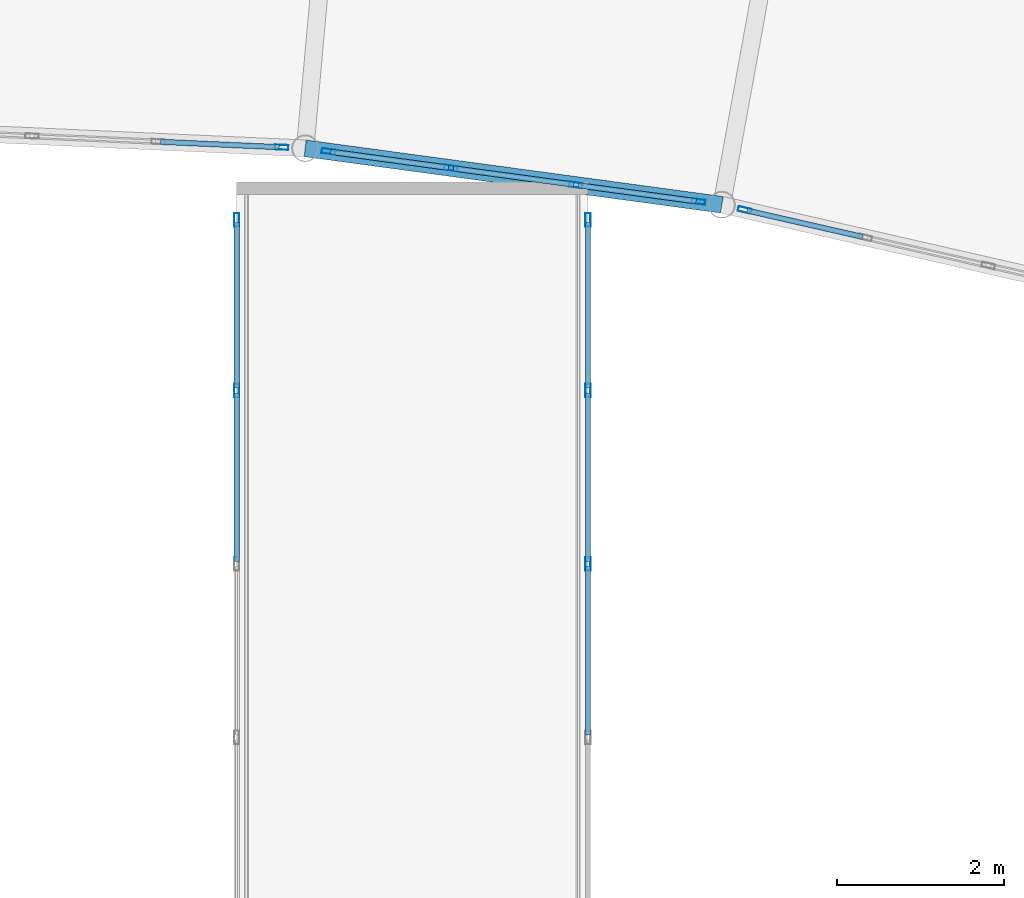
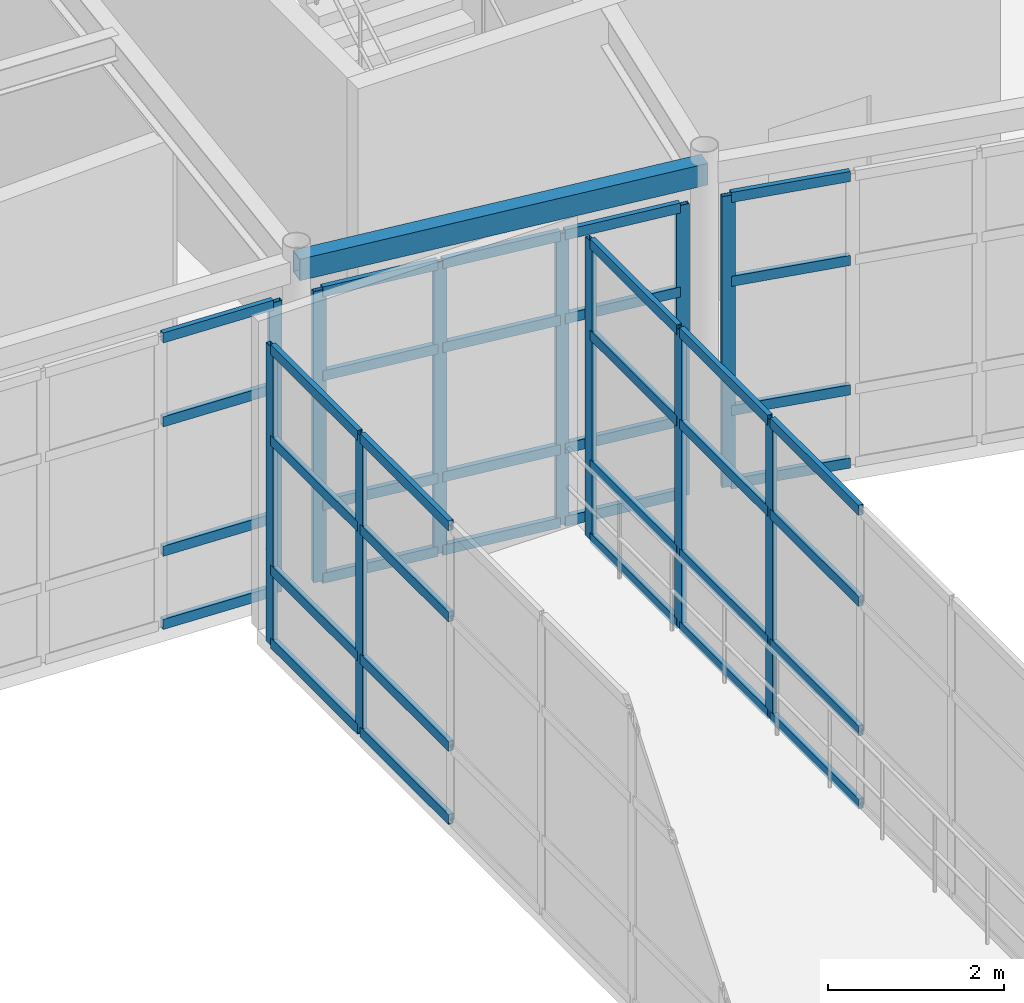
# One storey, part 66 of 105: 51 members, 1 beam, 5 elements without a shape of their own.
"""IFC4 building model written with IfcOpenShell, lengths in metres."""

from ifc_helpers import new_model, si_unit, direction, frame, origin, origin_2d, place, context, subcontext, project, spatial, hollow_rectangle, extrude, material, layer, layer_set, material_profile, profile_set, type_object, element, aggregate, save


model = new_model("IFC4")

# Units and contexts
model_context = context("Model", 3, precision=1e-05, world=origin(), true_north=direction((0.0, 1.0)))
body_context = subcontext(model_context, "Body", "Model", "MODEL_VIEW")
ifc_project = project(units=[si_unit("LENGTHUNIT", "METRE"), si_unit("AREAUNIT", "SQUARE_METRE"), si_unit("VOLUMEUNIT", "CUBIC_METRE"), si_unit("PLANEANGLEUNIT", "RADIAN"), si_unit("MASSUNIT", "GRAM", prefix="KILO")], contexts=[model_context])

# Site, building, storey
site_placement = place(None, origin())
site = spatial("IfcSite", under=ifc_project, at=site_placement, CompositionType="ELEMENT")
building_placement = place(site_placement, origin())
building = spatial("IfcBuilding", under=site, at=building_placement, Name="Selat Folded Stagehouse", CompositionType="ELEMENT")
storey_placement = place(building_placement, frame((0.0, 0.0, 10.199951171875)))
storey = spatial("IfcBuildingStorey", under=building, at=storey_placement, Name="L02", CompositionType="ELEMENT", Elevation=10.199951171875)

# Curtain wall, member
ifc_material_1 = material(Name="Aluminium 6063-T6", Category="aluminium")
ifc_layer_1 = layer(ifc_material_1, 0.18994140625)
ifc_layer_set_1 = layer_set([ifc_layer_1], Name="Aluminium 6063-T6")
curtain_wall_type_1 = type_object("IfcCurtainWallType", Name="CW-REH-ARC", PredefinedType="NOTDEFINED", material=ifc_layer_set_1)
curtain_wall_1_placement = place(storey_placement, origin())
curtain_wall_1 = element("IfcCurtainWall", 1, at=curtain_wall_1_placement, inside=storey, type_object=curtain_wall_type_1, Name="L02 curtain wall CW-REH-L02-07", PredefinedType="NOTDEFINED")
ifc_material_profile_1 = material_profile(ifc_material_1, hollow_rectangle(XDim=0.06005859375, YDim=0.159912109375, WallThickness=0.00390625, at=origin_2d()), Name="ALU 160x60x4.0")
ifc_profile_set_1 = profile_set([ifc_material_profile_1], Name="Aluminium 6063-T6")
member_type_1 = type_object("IfcMemberType", Name="CWM-MUL-160x60", PredefinedType="MULLION", material=ifc_profile_set_1)
member_1_placement = place(storey_placement, frame((97.14013671875, 93.787109375, 0.0), z_axis=(0.0, 0.0, 1.0), x_axis=(-0.044862316478, -0.998993179436, 0.0)))
member_1 = element("IfcMember", 2, at=member_1_placement, type_object=member_type_1, Name="CW-06 mullion 1", PredefinedType="MULLION", context=body_context, shape_type="SweptSolid", body=[
    extrude(hollow_rectangle(XDim=0.06005859375, YDim=0.159912109375, WallThickness=0.00390625, at=origin_2d()), origin(), (0.0, 0.0, 1.0), 4.050048828125),
])

# Curtain wall, members
curtain_wall_2_placement = place(storey_placement, origin())
curtain_wall_2 = element("IfcCurtainWall", 3, at=curtain_wall_2_placement, inside=storey, type_object=curtain_wall_type_1, Name="L02 curtain wall CW-REH-L02-08", PredefinedType="NOTDEFINED")
member_2_placement = place(storey_placement, frame((102.121826171875, 93.1376953125, 0.0), z_axis=(0.0, 0.0, 1.0), x_axis=(-0.134211766018, -0.990952673876, 0.0)))
member_2 = element("IfcMember", 4, at=member_2_placement, type_object=member_type_1, Name="CW-06 mullion 1", PredefinedType="MULLION", context=body_context, shape_type="SweptSolid", body=[
    extrude(hollow_rectangle(XDim=0.06005859375, YDim=0.159912109375, WallThickness=0.00390625, at=origin_2d()), origin(), (0.0, 0.0, 1.0), 4.050048828125),
])
member_3_placement = place(storey_placement, frame((100.65673828125, 93.336181640625, 0.0), z_axis=(0.0, 0.0, 1.0), x_axis=(-0.134211766018, -0.990952673876, 0.0)))
member_3 = element("IfcMember", 5, at=member_3_placement, type_object=member_type_1, Name="CW-06 mullion 2", PredefinedType="MULLION", context=body_context, shape_type="SweptSolid", body=[
    extrude(hollow_rectangle(XDim=0.06005859375, YDim=0.159912109375, WallThickness=0.00390625, at=origin_2d()), origin(), (0.0, 0.0, 1.0), 4.050048828125),
])
member_4_placement = place(storey_placement, frame((99.162109375, 93.53857421875, 0.0), z_axis=(0.0, 0.0, 1.0), x_axis=(-0.134211766018, -0.990952673876, 0.0)))
member_4 = element("IfcMember", 6, at=member_4_placement, type_object=member_type_1, Name="CW-06 mullion 3", PredefinedType="MULLION", context=body_context, shape_type="SweptSolid", body=[
    extrude(hollow_rectangle(XDim=0.06005859375, YDim=0.159912109375, WallThickness=0.00390625, at=origin_2d()), origin(), (0.0, 0.0, 1.0), 4.050048828125),
])
member_5_placement = place(storey_placement, frame((97.697265625, 93.737060546875, 0.0), z_axis=(0.0, 0.0, 1.0), x_axis=(-0.134211766018, -0.990952673876, 0.0)))
member_5 = element("IfcMember", 7, at=member_5_placement, type_object=member_type_1, Name="CW-06 mullion 4", PredefinedType="MULLION", context=body_context, shape_type="SweptSolid", body=[
    extrude(hollow_rectangle(XDim=0.06005859375, YDim=0.159912109375, WallThickness=0.00390625, at=origin_2d()), origin(), (0.0, 0.0, 1.0), 4.050048828125),
])

# Curtain wall, member
curtain_wall_3_placement = place(storey_placement, origin())
curtain_wall_3 = element("IfcCurtainWall", 8, at=curtain_wall_3_placement, inside=storey, type_object=curtain_wall_type_1, Name="L02 curtain wall CW-REH-L02-09", PredefinedType="NOTDEFINED")
member_6_placement = place(storey_placement, frame((102.672119140625, 93.037841796875, 0.0), z_axis=(0.0, 0.0, 1.0), x_axis=(-0.222542761079, -0.974922930026, 0.0)))
member_6 = element("IfcMember", 9, at=member_6_placement, type_object=member_type_1, Name="CW-06 mullion 4", PredefinedType="MULLION", context=body_context, shape_type="SweptSolid", body=[
    extrude(hollow_rectangle(XDim=0.06005859375, YDim=0.159912109375, WallThickness=0.00390625, at=origin_2d()), origin(), (0.0, 0.0, 1.0), 4.050048828125),
])

# Curtain wall, members
ifc_layer_2 = layer(ifc_material_1, 0.175048828125)
ifc_layer_set_2 = layer_set([ifc_layer_2], Name="Aluminium 6063-T6")
curtain_wall_type_2 = type_object("IfcCurtainWallType", Name="CW-BRG-GLAZ", PredefinedType="NOTDEFINED", material=ifc_layer_set_2)
curtain_wall_4_placement = place(storey_placement, origin())
curtain_wall_4 = element("IfcCurtainWall", 10, at=curtain_wall_4_placement, inside=storey, type_object=curtain_wall_type_2, Name="L02 curtain wall CW-BRG-15", PredefinedType="NOTDEFINED")
member_7_placement = place(storey_placement, frame((96.60009765625, 90.878662109375, 0.0), z_axis=(0.0, 0.0, 1.0), x_axis=(-1.0, 0.0, 0.0)))
member_7 = element("IfcMember", 11, at=member_7_placement, type_object=member_type_1, Name="CW-07 mullion 7", PredefinedType="MULLION", context=body_context, shape_type="SweptSolid", body=[
    extrude(hollow_rectangle(XDim=0.06005859375, YDim=0.159912109375, WallThickness=0.00390625, at=origin_2d()), origin(), (0.0, 0.0, 1.0), 4.150146484375),
])
member_8_placement = place(storey_placement, frame((96.60009765625, 92.919921875, 0.0), z_axis=(0.0, 0.0, 1.0), x_axis=(-1.0, 0.0, 0.0)))
member_8 = element("IfcMember", 12, at=member_8_placement, type_object=member_type_1, Name="CW-07 mullion 8", PredefinedType="MULLION", context=body_context, shape_type="SweptSolid", body=[
    extrude(hollow_rectangle(XDim=0.06005859375, YDim=0.159912109375, WallThickness=0.00390625, at=origin_2d()), origin(), (0.0, 0.0, 1.0), 4.150146484375),
])

curtain_wall_5_placement = place(storey_placement, origin())
curtain_wall_5 = element("IfcCurtainWall", 13, at=curtain_wall_5_placement, inside=storey, type_object=curtain_wall_type_2, Name="L02 curtain wall CW-BRG-20", PredefinedType="NOTDEFINED")
member_9_placement = place(storey_placement, frame((100.800048828125, 92.919921875, 0.0), z_axis=(0.0, 0.0, 1.0), x_axis=(1.0, 0.0, 0.0)))
member_9 = element("IfcMember", 14, at=member_9_placement, type_object=member_type_1, Name="CW-07 mullion 1", PredefinedType="MULLION", context=body_context, shape_type="SweptSolid", body=[
    extrude(hollow_rectangle(XDim=0.06005859375, YDim=0.159912109375, WallThickness=0.00390625, at=origin_2d()), origin(), (0.0, 0.0, 1.0), 4.150146484375),
])
member_10_placement = place(storey_placement, frame((100.800048828125, 90.878662109375, 0.0), z_axis=(0.0, 0.0, 1.0), x_axis=(1.0, 0.0, 0.0)))
member_10 = element("IfcMember", 15, at=member_10_placement, type_object=member_type_1, Name="CW-07 mullion 2", PredefinedType="MULLION", context=body_context, shape_type="SweptSolid", body=[
    extrude(hollow_rectangle(XDim=0.06005859375, YDim=0.159912109375, WallThickness=0.00390625, at=origin_2d()), origin(), (0.0, 0.0, 1.0), 4.150146484375),
])
member_11_placement = place(storey_placement, frame((100.800048828125, 88.80712890625, 0.0), z_axis=(0.0, 0.0, 1.0), x_axis=(1.0, 0.0, 0.0)))
member_11 = element("IfcMember", 16, at=member_11_placement, type_object=member_type_1, Name="CW-07 mullion 3", PredefinedType="MULLION", context=body_context, shape_type="SweptSolid", body=[
    extrude(hollow_rectangle(XDim=0.06005859375, YDim=0.159912109375, WallThickness=0.00390625, at=origin_2d()), origin(), (0.0, 0.0, 1.0), 4.150146484375),
])

# Member
ifc_material_profile_2 = material_profile(ifc_material_1, hollow_rectangle(XDim=0.06494140625, YDim=0.139892578125, WallThickness=0.00390625, at=origin_2d()), Name="ALU 140x65x4.0")
ifc_profile_set_2 = profile_set([ifc_material_profile_2], Name="Aluminium 6063-T6")
member_type_2 = type_object("IfcMemberType", Name="CWM-TRN-140x65", PredefinedType="USERDEFINED", material=ifc_profile_set_2)
member_12_placement = place(storey_placement, frame((97.110107421875, 93.78857421875, 0.032470703125), z_axis=(-0.998997791005, 0.044759508127, 0.0), x_axis=(-0.044759508127, -0.998997791005, 0.0)))
member_12 = element("IfcMember", 17, at=member_12_placement, type_object=member_type_2, Name="CW-06 transom 1.1", ObjectType="TRANSOM", PredefinedType="USERDEFINED", context=body_context, shape_type="SweptSolid", body=[
    extrude(hollow_rectangle(XDim=0.06494140625, YDim=0.139892578125, WallThickness=0.00390625, at=origin_2d()), origin(), (0.0, 0.0, 1.0), 1.418212890625),
])

member_13_placement = place(storey_placement, frame((97.110107421875, 93.78857421875, 1.050048828125), z_axis=(-0.998997791005, 0.044759508127, 0.0), x_axis=(-0.044759508127, -0.998997791005, 0.0)))
member_13 = element("IfcMember", 18, at=member_13_placement, type_object=member_type_2, Name="CW-06 transom 1.2", ObjectType="TRANSOM", PredefinedType="USERDEFINED", context=body_context, shape_type="SweptSolid", body=[
    extrude(hollow_rectangle(XDim=0.06494140625, YDim=0.139892578125, WallThickness=0.00390625, at=origin_2d()), origin(), (0.0, 0.0, 1.0), 1.418212890625),
])

member_14_placement = place(storey_placement, frame((97.110107421875, 93.78857421875, 2.85009765625), z_axis=(-0.998997791005, 0.044759508127, 0.0), x_axis=(-0.044759508127, -0.998997791005, 0.0)))
member_14 = element("IfcMember", 19, at=member_14_placement, type_object=member_type_2, Name="CW-06 transom 1.3", ObjectType="TRANSOM", PredefinedType="USERDEFINED", context=body_context, shape_type="SweptSolid", body=[
    extrude(hollow_rectangle(XDim=0.06494140625, YDim=0.139892578125, WallThickness=0.00390625, at=origin_2d()), origin(), (0.0, 0.0, 1.0), 1.418212890625),
])

member_15_placement = place(storey_placement, frame((97.110107421875, 93.78857421875, 4.017578125), z_axis=(-0.998997791005, 0.044759508127, 0.0), x_axis=(-0.044759508127, -0.998997791005, 0.0)))
member_15 = element("IfcMember", 20, at=member_15_placement, type_object=member_type_2, Name="CW-06 transom 1.4", ObjectType="TRANSOM", PredefinedType="USERDEFINED", context=body_context, shape_type="SweptSolid", body=[
    extrude(hollow_rectangle(XDim=0.06494140625, YDim=0.139892578125, WallThickness=0.00390625, at=origin_2d()), origin(), (0.0, 0.0, 1.0), 1.418212890625),
])

aggregate(curtain_wall_1, [member_1, member_12, member_13, member_14, member_15])

member_16_placement = place(storey_placement, frame((102.092041015625, 93.141845703125, 0.032470703125), z_axis=(-0.990968953763, 0.134091508595, 0.0), x_axis=(-0.134091508595, -0.990968953763, 0.0)))
member_16 = element("IfcMember", 21, at=member_16_placement, type_object=member_type_2, Name="CW-06 transom 1.1", ObjectType="TRANSOM", PredefinedType="USERDEFINED", context=body_context, shape_type="SweptSolid", body=[
    extrude(hollow_rectangle(XDim=0.06494140625, YDim=0.139892578125, WallThickness=0.00390625, at=origin_2d()), origin(), (0.0, 0.0, 1.0), 1.418212890625),
])

member_17_placement = place(storey_placement, frame((102.092041015625, 93.141845703125, 1.050048828125), z_axis=(-0.990968953763, 0.134091508595, 0.0), x_axis=(-0.134091508595, -0.990968953763, 0.0)))
member_17 = element("IfcMember", 22, at=member_17_placement, type_object=member_type_2, Name="CW-06 transom 1.2", ObjectType="TRANSOM", PredefinedType="USERDEFINED", context=body_context, shape_type="SweptSolid", body=[
    extrude(hollow_rectangle(XDim=0.06494140625, YDim=0.139892578125, WallThickness=0.00390625, at=origin_2d()), origin(), (0.0, 0.0, 1.0), 1.418212890625),
])

member_18_placement = place(storey_placement, frame((102.092041015625, 93.141845703125, 2.85009765625), z_axis=(-0.990968953763, 0.134091508595, 0.0), x_axis=(-0.134091508595, -0.990968953763, 0.0)))
member_18 = element("IfcMember", 23, at=member_18_placement, type_object=member_type_2, Name="CW-06 transom 1.3", ObjectType="TRANSOM", PredefinedType="USERDEFINED", context=body_context, shape_type="SweptSolid", body=[
    extrude(hollow_rectangle(XDim=0.06494140625, YDim=0.139892578125, WallThickness=0.00390625, at=origin_2d()), origin(), (0.0, 0.0, 1.0), 1.418212890625),
])

member_19_placement = place(storey_placement, frame((102.092041015625, 93.141845703125, 4.017578125), z_axis=(-0.990968953763, 0.134091508595, 0.0), x_axis=(-0.134091508595, -0.990968953763, 0.0)))
member_19 = element("IfcMember", 24, at=member_19_placement, type_object=member_type_2, Name="CW-06 transom 1.4", ObjectType="TRANSOM", PredefinedType="USERDEFINED", context=body_context, shape_type="SweptSolid", body=[
    extrude(hollow_rectangle(XDim=0.06494140625, YDim=0.139892578125, WallThickness=0.00390625, at=origin_2d()), origin(), (0.0, 0.0, 1.0), 1.418212890625),
])

member_20_placement = place(storey_placement, frame((100.627197265625, 93.340087890625, 0.032470703125), z_axis=(-0.990957936125, 0.134172906473, 0.0), x_axis=(-0.134172906473, -0.990957936125, 0.0)))
member_20 = element("IfcMember", 25, at=member_20_placement, type_object=member_type_2, Name="CW-06 transom 2.1", ObjectType="TRANSOM", PredefinedType="USERDEFINED", context=body_context, shape_type="SweptSolid", body=[
    extrude(hollow_rectangle(XDim=0.06494140625, YDim=0.139892578125, WallThickness=0.00390625, at=origin_2d()), origin(), (0.0, 0.0, 1.0), 1.448486328125),
])

member_21_placement = place(storey_placement, frame((100.627197265625, 93.340087890625, 1.050048828125), z_axis=(-0.990957936125, 0.134172906473, 0.0), x_axis=(-0.134172906473, -0.990957936125, 0.0)))
member_21 = element("IfcMember", 26, at=member_21_placement, type_object=member_type_2, Name="CW-06 transom 2.2", ObjectType="TRANSOM", PredefinedType="USERDEFINED", context=body_context, shape_type="SweptSolid", body=[
    extrude(hollow_rectangle(XDim=0.06494140625, YDim=0.139892578125, WallThickness=0.00390625, at=origin_2d()), origin(), (0.0, 0.0, 1.0), 1.448486328125),
])

member_22_placement = place(storey_placement, frame((100.627197265625, 93.340087890625, 2.85009765625), z_axis=(-0.990957936125, 0.134172906473, 0.0), x_axis=(-0.134172906473, -0.990957936125, 0.0)))
member_22 = element("IfcMember", 27, at=member_22_placement, type_object=member_type_2, Name="CW-06 transom 2.3", ObjectType="TRANSOM", PredefinedType="USERDEFINED", context=body_context, shape_type="SweptSolid", body=[
    extrude(hollow_rectangle(XDim=0.06494140625, YDim=0.139892578125, WallThickness=0.00390625, at=origin_2d()), origin(), (0.0, 0.0, 1.0), 1.448486328125),
])

member_23_placement = place(storey_placement, frame((100.627197265625, 93.340087890625, 4.017578125), z_axis=(-0.990957936125, 0.134172906473, 0.0), x_axis=(-0.134172906473, -0.990957936125, 0.0)))
member_23 = element("IfcMember", 28, at=member_23_placement, type_object=member_type_2, Name="CW-06 transom 2.4", ObjectType="TRANSOM", PredefinedType="USERDEFINED", context=body_context, shape_type="SweptSolid", body=[
    extrude(hollow_rectangle(XDim=0.06494140625, YDim=0.139892578125, WallThickness=0.00390625, at=origin_2d()), origin(), (0.0, 0.0, 1.0), 1.448486328125),
])

member_24_placement = place(storey_placement, frame((99.13232421875, 93.54248046875, 0.032470703125), z_axis=(-0.990942963198, 0.134283445326, 0.0), x_axis=(-0.134283445326, -0.990942963198, 0.0)))
member_24 = element("IfcMember", 29, at=member_24_placement, type_object=member_type_2, Name="CW-06 transom 3.1", ObjectType="TRANSOM", PredefinedType="USERDEFINED", context=body_context, shape_type="SweptSolid", body=[
    extrude(hollow_rectangle(XDim=0.06494140625, YDim=0.139892578125, WallThickness=0.00390625, at=origin_2d()), origin(), (0.0, 0.0, 1.0), 1.418212890625),
])

member_25_placement = place(storey_placement, frame((99.13232421875, 93.54248046875, 1.050048828125), z_axis=(-0.990942963198, 0.134283445326, 0.0), x_axis=(-0.134283445326, -0.990942963198, 0.0)))
member_25 = element("IfcMember", 30, at=member_25_placement, type_object=member_type_2, Name="CW-06 transom 3.2", ObjectType="TRANSOM", PredefinedType="USERDEFINED", context=body_context, shape_type="SweptSolid", body=[
    extrude(hollow_rectangle(XDim=0.06494140625, YDim=0.139892578125, WallThickness=0.00390625, at=origin_2d()), origin(), (0.0, 0.0, 1.0), 1.418212890625),
])

member_26_placement = place(storey_placement, frame((99.13232421875, 93.54248046875, 2.85009765625), z_axis=(-0.990942963198, 0.134283445326, 0.0), x_axis=(-0.134283445326, -0.990942963198, 0.0)))
member_26 = element("IfcMember", 31, at=member_26_placement, type_object=member_type_2, Name="CW-06 transom 3.3", ObjectType="TRANSOM", PredefinedType="USERDEFINED", context=body_context, shape_type="SweptSolid", body=[
    extrude(hollow_rectangle(XDim=0.06494140625, YDim=0.139892578125, WallThickness=0.00390625, at=origin_2d()), origin(), (0.0, 0.0, 1.0), 1.418212890625),
])

member_27_placement = place(storey_placement, frame((99.13232421875, 93.54248046875, 4.017578125), z_axis=(-0.990942963198, 0.134283445326, 0.0), x_axis=(-0.134283445326, -0.990942963198, 0.0)))
member_27 = element("IfcMember", 32, at=member_27_placement, type_object=member_type_2, Name="CW-06 transom 3.4", ObjectType="TRANSOM", PredefinedType="USERDEFINED", context=body_context, shape_type="SweptSolid", body=[
    extrude(hollow_rectangle(XDim=0.06494140625, YDim=0.139892578125, WallThickness=0.00390625, at=origin_2d()), origin(), (0.0, 0.0, 1.0), 1.418212890625),
])

aggregate(curtain_wall_2, [member_2, member_3, member_4, member_5, member_16, member_17, member_18, member_19, member_20, member_21, member_22, member_23, member_24, member_25, member_26, member_27])

member_28_placement = place(storey_placement, frame((104.084228515625, 92.715576171875, 0.032470703125), z_axis=(-0.974919361771, 0.222558392438, 0.0), x_axis=(-0.222558392438, -0.974919361771, 0.0)))
member_28 = element("IfcMember", 33, at=member_28_placement, type_object=member_type_2, Name="CW-06 transom 3.1", ObjectType="TRANSOM", PredefinedType="USERDEFINED", context=body_context, shape_type="SweptSolid", body=[
    extrude(hollow_rectangle(XDim=0.06494140625, YDim=0.139892578125, WallThickness=0.00390625, at=origin_2d()), origin(), (0.0, 0.0, 1.0), 1.41845703125),
])

member_29_placement = place(storey_placement, frame((104.084228515625, 92.715576171875, 1.050048828125), z_axis=(-0.974919361771, 0.222558392438, 0.0), x_axis=(-0.222558392438, -0.974919361771, 0.0)))
member_29 = element("IfcMember", 34, at=member_29_placement, type_object=member_type_2, Name="CW-06 transom 3.2", ObjectType="TRANSOM", PredefinedType="USERDEFINED", context=body_context, shape_type="SweptSolid", body=[
    extrude(hollow_rectangle(XDim=0.06494140625, YDim=0.139892578125, WallThickness=0.00390625, at=origin_2d()), origin(), (0.0, 0.0, 1.0), 1.41845703125),
])

member_30_placement = place(storey_placement, frame((104.084228515625, 92.715576171875, 2.85009765625), z_axis=(-0.974919361771, 0.222558392438, 0.0), x_axis=(-0.222558392438, -0.974919361771, 0.0)))
member_30 = element("IfcMember", 35, at=member_30_placement, type_object=member_type_2, Name="CW-06 transom 3.3", ObjectType="TRANSOM", PredefinedType="USERDEFINED", context=body_context, shape_type="SweptSolid", body=[
    extrude(hollow_rectangle(XDim=0.06494140625, YDim=0.139892578125, WallThickness=0.00390625, at=origin_2d()), origin(), (0.0, 0.0, 1.0), 1.41845703125),
])

member_31_placement = place(storey_placement, frame((104.084228515625, 92.715576171875, 4.017578125), z_axis=(-0.974919361771, 0.222558392438, 0.0), x_axis=(-0.222558392438, -0.974919361771, 0.0)))
member_31 = element("IfcMember", 36, at=member_31_placement, type_object=member_type_2, Name="CW-06 transom 3.4", ObjectType="TRANSOM", PredefinedType="USERDEFINED", context=body_context, shape_type="SweptSolid", body=[
    extrude(hollow_rectangle(XDim=0.06494140625, YDim=0.139892578125, WallThickness=0.00390625, at=origin_2d()), origin(), (0.0, 0.0, 1.0), 1.41845703125),
])

aggregate(curtain_wall_3, [member_6, member_28, member_29, member_30, member_31])

member_32_placement = place(storey_placement, frame((96.60009765625, 88.837158203125, 0.032470703125), z_axis=(0.0, 1.0, 0.0), x_axis=(-1.0, 0.0, 0.0)))
member_32 = element("IfcMember", 37, at=member_32_placement, type_object=member_type_2, Name="CW-07 transom 6.1", ObjectType="TRANSOM", PredefinedType="USERDEFINED", context=body_context, shape_type="SweptSolid", body=[
    extrude(hollow_rectangle(XDim=0.06494140625, YDim=0.139892578125, WallThickness=0.00390625, at=origin_2d()), origin(), (0.0, 0.0, 1.0), 2.011474609375),
])

member_33_placement = place(storey_placement, frame((96.60009765625, 88.837158203125, 1.050048828125), z_axis=(0.0, 1.0, 0.0), x_axis=(-1.0, 0.0, 0.0)))
member_33 = element("IfcMember", 38, at=member_33_placement, type_object=member_type_2, Name="CW-07 transom 6.2", ObjectType="TRANSOM", PredefinedType="USERDEFINED", context=body_context, shape_type="SweptSolid", body=[
    extrude(hollow_rectangle(XDim=0.06494140625, YDim=0.139892578125, WallThickness=0.00390625, at=origin_2d()), origin(), (0.0, 0.0, 1.0), 2.011474609375),
])

member_34_placement = place(storey_placement, frame((96.60009765625, 88.837158203125, 2.85009765625), z_axis=(0.0, 1.0, 0.0), x_axis=(-1.0, 0.0, 0.0)))
member_34 = element("IfcMember", 39, at=member_34_placement, type_object=member_type_2, Name="CW-07 transom 6.3", ObjectType="TRANSOM", PredefinedType="USERDEFINED", context=body_context, shape_type="SweptSolid", body=[
    extrude(hollow_rectangle(XDim=0.06494140625, YDim=0.139892578125, WallThickness=0.00390625, at=origin_2d()), origin(), (0.0, 0.0, 1.0), 2.011474609375),
])

member_35_placement = place(storey_placement, frame((96.60009765625, 88.837158203125, 4.117431640625), z_axis=(0.0, 1.0, 0.0), x_axis=(-1.0, 0.0, 0.0)))
member_35 = element("IfcMember", 40, at=member_35_placement, type_object=member_type_2, Name="CW-07 transom 6.4", ObjectType="TRANSOM", PredefinedType="USERDEFINED", context=body_context, shape_type="SweptSolid", body=[
    extrude(hollow_rectangle(XDim=0.06494140625, YDim=0.139892578125, WallThickness=0.00390625, at=origin_2d()), origin(), (0.0, 0.0, 1.0), 2.011474609375),
])

member_36_placement = place(storey_placement, frame((96.60009765625, 90.90869140625, 0.032470703125), z_axis=(0.0, 1.0, 0.0), x_axis=(-1.0, 0.0, 0.0)))
member_36 = element("IfcMember", 41, at=member_36_placement, type_object=member_type_2, Name="CW-07 transom 7.1", ObjectType="TRANSOM", PredefinedType="USERDEFINED", context=body_context, shape_type="SweptSolid", body=[
    extrude(hollow_rectangle(XDim=0.06494140625, YDim=0.139892578125, WallThickness=0.00390625, at=origin_2d()), origin(), (0.0, 0.0, 1.0), 1.981201171875),
])

member_37_placement = place(storey_placement, frame((96.60009765625, 90.90869140625, 1.050048828125), z_axis=(0.0, 1.0, 0.0), x_axis=(-1.0, 0.0, 0.0)))
member_37 = element("IfcMember", 42, at=member_37_placement, type_object=member_type_2, Name="CW-07 transom 7.2", ObjectType="TRANSOM", PredefinedType="USERDEFINED", context=body_context, shape_type="SweptSolid", body=[
    extrude(hollow_rectangle(XDim=0.06494140625, YDim=0.139892578125, WallThickness=0.00390625, at=origin_2d()), origin(), (0.0, 0.0, 1.0), 1.981201171875),
])

member_38_placement = place(storey_placement, frame((96.60009765625, 90.90869140625, 2.85009765625), z_axis=(0.0, 1.0, 0.0), x_axis=(-1.0, 0.0, 0.0)))
member_38 = element("IfcMember", 43, at=member_38_placement, type_object=member_type_2, Name="CW-07 transom 7.3", ObjectType="TRANSOM", PredefinedType="USERDEFINED", context=body_context, shape_type="SweptSolid", body=[
    extrude(hollow_rectangle(XDim=0.06494140625, YDim=0.139892578125, WallThickness=0.00390625, at=origin_2d()), origin(), (0.0, 0.0, 1.0), 1.981201171875),
])

member_39_placement = place(storey_placement, frame((96.60009765625, 90.90869140625, 4.117431640625), z_axis=(0.0, 1.0, 0.0), x_axis=(-1.0, 0.0, 0.0)))
member_39 = element("IfcMember", 44, at=member_39_placement, type_object=member_type_2, Name="CW-07 transom 7.4", ObjectType="TRANSOM", PredefinedType="USERDEFINED", context=body_context, shape_type="SweptSolid", body=[
    extrude(hollow_rectangle(XDim=0.06494140625, YDim=0.139892578125, WallThickness=0.00390625, at=origin_2d()), origin(), (0.0, 0.0, 1.0), 1.981201171875),
])

aggregate(curtain_wall_4, [member_7, member_8, member_32, member_33, member_34, member_35, member_36, member_37, member_38, member_39])

member_40_placement = place(storey_placement, frame((100.800048828125, 92.889892578125, 0.032470703125), z_axis=(0.0, -1.0, 0.0), x_axis=(1.0, 0.0, 0.0)))
member_40 = element("IfcMember", 45, at=member_40_placement, type_object=member_type_2, Name="CW-07 transom 1.1", ObjectType="TRANSOM", PredefinedType="USERDEFINED", context=body_context, shape_type="SweptSolid", body=[
    extrude(hollow_rectangle(XDim=0.06494140625, YDim=0.139892578125, WallThickness=0.00390625, at=origin_2d()), origin(), (0.0, 0.0, 1.0), 1.981201171875),
])

member_41_placement = place(storey_placement, frame((100.800048828125, 92.889892578125, 1.050048828125), z_axis=(0.0, -1.0, 0.0), x_axis=(1.0, 0.0, 0.0)))
member_41 = element("IfcMember", 46, at=member_41_placement, type_object=member_type_2, Name="CW-07 transom 1.2", ObjectType="TRANSOM", PredefinedType="USERDEFINED", context=body_context, shape_type="SweptSolid", body=[
    extrude(hollow_rectangle(XDim=0.06494140625, YDim=0.139892578125, WallThickness=0.00390625, at=origin_2d()), origin(), (0.0, 0.0, 1.0), 1.981201171875),
])

member_42_placement = place(storey_placement, frame((100.800048828125, 92.889892578125, 2.85009765625), z_axis=(0.0, -1.0, 0.0), x_axis=(1.0, 0.0, 0.0)))
member_42 = element("IfcMember", 47, at=member_42_placement, type_object=member_type_2, Name="CW-07 transom 1.3", ObjectType="TRANSOM", PredefinedType="USERDEFINED", context=body_context, shape_type="SweptSolid", body=[
    extrude(hollow_rectangle(XDim=0.06494140625, YDim=0.139892578125, WallThickness=0.00390625, at=origin_2d()), origin(), (0.0, 0.0, 1.0), 1.981201171875),
])

member_43_placement = place(storey_placement, frame((100.800048828125, 92.889892578125, 4.117431640625), z_axis=(0.0, -1.0, 0.0), x_axis=(1.0, 0.0, 0.0)))
member_43 = element("IfcMember", 48, at=member_43_placement, type_object=member_type_2, Name="CW-07 transom 1.4", ObjectType="TRANSOM", PredefinedType="USERDEFINED", context=body_context, shape_type="SweptSolid", body=[
    extrude(hollow_rectangle(XDim=0.06494140625, YDim=0.139892578125, WallThickness=0.00390625, at=origin_2d()), origin(), (0.0, 0.0, 1.0), 1.981201171875),
])

member_44_placement = place(storey_placement, frame((100.800048828125, 90.8486328125, 0.032470703125), z_axis=(0.0, -1.0, 0.0), x_axis=(1.0, 0.0, 0.0)))
member_44 = element("IfcMember", 49, at=member_44_placement, type_object=member_type_2, Name="CW-07 transom 2.1", ObjectType="TRANSOM", PredefinedType="USERDEFINED", context=body_context, shape_type="SweptSolid", body=[
    extrude(hollow_rectangle(XDim=0.06494140625, YDim=0.139892578125, WallThickness=0.00390625, at=origin_2d()), origin(), (0.0, 0.0, 1.0), 2.011474609375),
])

member_45_placement = place(storey_placement, frame((100.800048828125, 90.8486328125, 1.050048828125), z_axis=(0.0, -1.0, 0.0), x_axis=(1.0, 0.0, 0.0)))
member_45 = element("IfcMember", 50, at=member_45_placement, type_object=member_type_2, Name="CW-07 transom 2.2", ObjectType="TRANSOM", PredefinedType="USERDEFINED", context=body_context, shape_type="SweptSolid", body=[
    extrude(hollow_rectangle(XDim=0.06494140625, YDim=0.139892578125, WallThickness=0.00390625, at=origin_2d()), origin(), (0.0, 0.0, 1.0), 2.011474609375),
])

member_46_placement = place(storey_placement, frame((100.800048828125, 90.8486328125, 2.85009765625), z_axis=(0.0, -1.0, 0.0), x_axis=(1.0, 0.0, 0.0)))
member_46 = element("IfcMember", 51, at=member_46_placement, type_object=member_type_2, Name="CW-07 transom 2.3", ObjectType="TRANSOM", PredefinedType="USERDEFINED", context=body_context, shape_type="SweptSolid", body=[
    extrude(hollow_rectangle(XDim=0.06494140625, YDim=0.139892578125, WallThickness=0.00390625, at=origin_2d()), origin(), (0.0, 0.0, 1.0), 2.011474609375),
])

member_47_placement = place(storey_placement, frame((100.800048828125, 90.8486328125, 4.117431640625), z_axis=(0.0, -1.0, 0.0), x_axis=(1.0, 0.0, 0.0)))
member_47 = element("IfcMember", 52, at=member_47_placement, type_object=member_type_2, Name="CW-07 transom 2.4", ObjectType="TRANSOM", PredefinedType="USERDEFINED", context=body_context, shape_type="SweptSolid", body=[
    extrude(hollow_rectangle(XDim=0.06494140625, YDim=0.139892578125, WallThickness=0.00390625, at=origin_2d()), origin(), (0.0, 0.0, 1.0), 2.011474609375),
])

member_48_placement = place(storey_placement, frame((100.800048828125, 88.777099609375, 0.032470703125), z_axis=(0.0, -1.0, 0.0), x_axis=(1.0, 0.0, 0.0)))
member_48 = element("IfcMember", 53, at=member_48_placement, type_object=member_type_2, Name="CW-07 transom 3.1", ObjectType="TRANSOM", PredefinedType="USERDEFINED", context=body_context, shape_type="SweptSolid", body=[
    extrude(hollow_rectangle(XDim=0.06494140625, YDim=0.139892578125, WallThickness=0.00390625, at=origin_2d()), origin(), (0.0, 0.0, 1.0), 2.011474609375),
])

member_49_placement = place(storey_placement, frame((100.800048828125, 88.777099609375, 1.050048828125), z_axis=(0.0, -1.0, 0.0), x_axis=(1.0, 0.0, 0.0)))
member_49 = element("IfcMember", 54, at=member_49_placement, type_object=member_type_2, Name="CW-07 transom 3.2", ObjectType="TRANSOM", PredefinedType="USERDEFINED", context=body_context, shape_type="SweptSolid", body=[
    extrude(hollow_rectangle(XDim=0.06494140625, YDim=0.139892578125, WallThickness=0.00390625, at=origin_2d()), origin(), (0.0, 0.0, 1.0), 2.011474609375),
])

member_50_placement = place(storey_placement, frame((100.800048828125, 88.777099609375, 2.85009765625), z_axis=(0.0, -1.0, 0.0), x_axis=(1.0, 0.0, 0.0)))
member_50 = element("IfcMember", 55, at=member_50_placement, type_object=member_type_2, Name="CW-07 transom 3.3", ObjectType="TRANSOM", PredefinedType="USERDEFINED", context=body_context, shape_type="SweptSolid", body=[
    extrude(hollow_rectangle(XDim=0.06494140625, YDim=0.139892578125, WallThickness=0.00390625, at=origin_2d()), origin(), (0.0, 0.0, 1.0), 2.011474609375),
])

member_51_placement = place(storey_placement, frame((100.800048828125, 88.777099609375, 4.117431640625), z_axis=(0.0, -1.0, 0.0), x_axis=(1.0, 0.0, 0.0)))
member_51 = element("IfcMember", 56, at=member_51_placement, type_object=member_type_2, Name="CW-07 transom 3.4", ObjectType="TRANSOM", PredefinedType="USERDEFINED", context=body_context, shape_type="SweptSolid", body=[
    extrude(hollow_rectangle(XDim=0.06494140625, YDim=0.139892578125, WallThickness=0.00390625, at=origin_2d()), origin(), (0.0, 0.0, 1.0), 2.011474609375),
])

aggregate(curtain_wall_5, [member_9, member_10, member_11, member_40, member_41, member_42, member_43, member_44, member_45, member_46, member_47, member_48, member_49, member_50, member_51])

# Beam
ifc_material_2 = material(Name="Steel S355", Category="steel")
ifc_material_profile_3 = material_profile(ifc_material_2, hollow_rectangle(XDim=0.199951171875, YDim=0.300048828125, WallThickness=0.012451171875, at=origin_2d()), Name="RHS 300x200x12.5")
ifc_profile_set_3 = profile_set([ifc_material_profile_3], Name="Steel S355")
beam_type = type_object("IfcBeamType", Name="SPD-RHS-300x200", PredefinedType="SPANDREL", material=ifc_profile_set_3)
beam_placement = place(storey_placement, frame((97.419921875, 93.774658203125, 4.449951171875), z_axis=(0.9909477611, -0.134248034514, 0.0), x_axis=(0.134248034514, 0.9909477611, 0.0)))
element("IfcBeam", 57, at=beam_placement, inside=storey, type_object=beam_type, Name="L02 inner curved rehearsal spandrel 9", PredefinedType="SPANDREL", context=body_context, shape_type="SweptSolid", body=[
    extrude(hollow_rectangle(XDim=0.199951171875, YDim=0.300048828125, WallThickness=0.012451171875, at=origin_2d()), origin(), (0.0, 0.0, 1.0), 5.024658203125),
])

save(model, "model.ifc")
